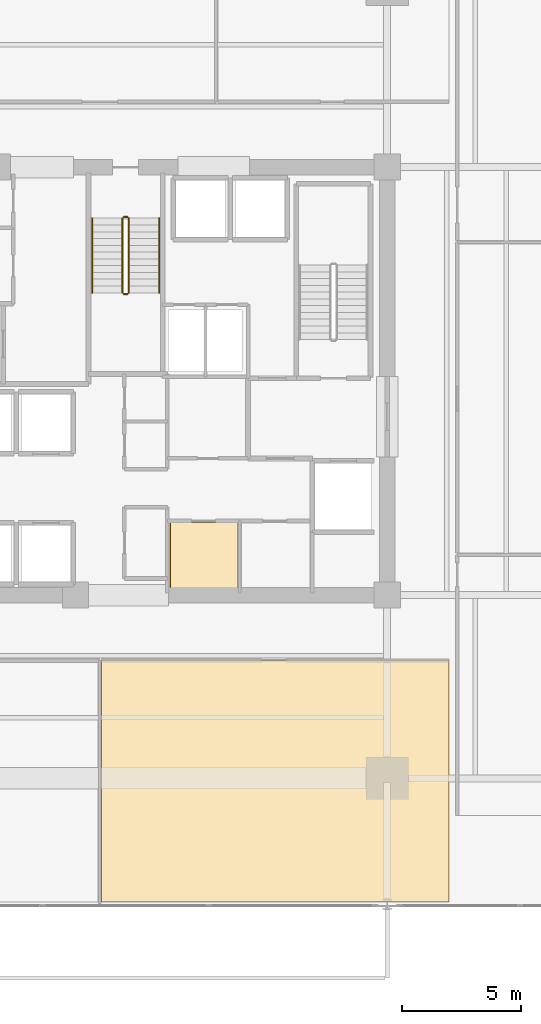
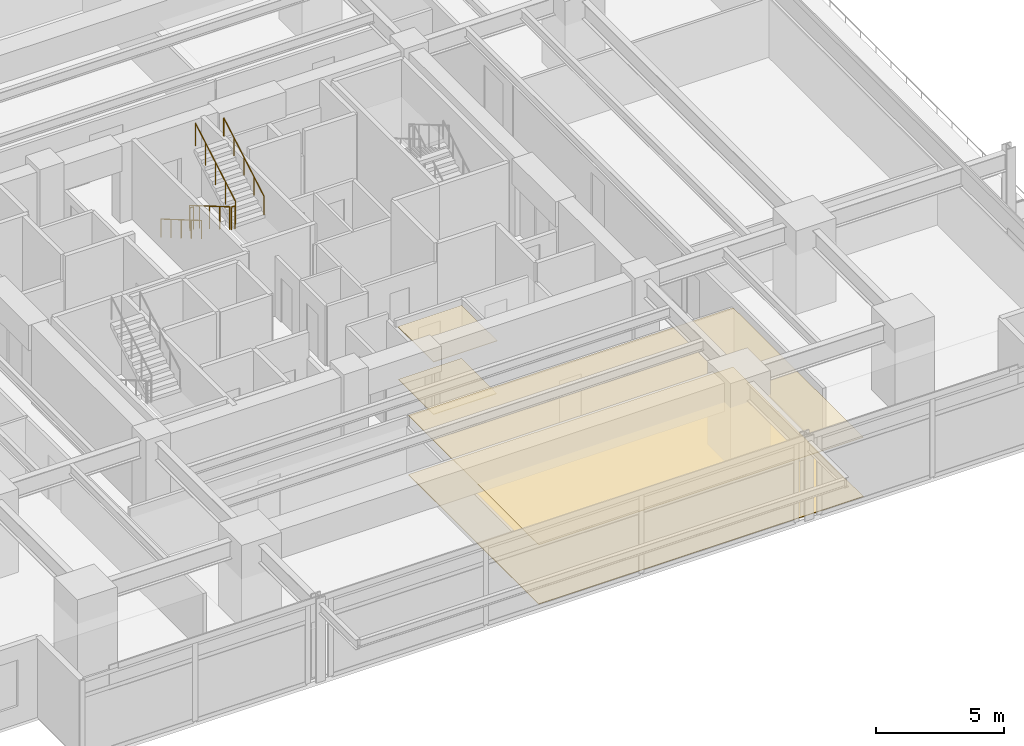
# One storey, part 19 of 21: 6 railings, 4 coverings.
"""IFC4 building model written with IfcOpenShell, lengths in metres."""

from ifc_helpers import new_model, si_unit, direction, frame, origin, origin_2d, place, context, subcontext, project, spatial, polyline, circle, outline, extrude, material, layer, layer_set, type_object, element, save


model = new_model("IFC4")

# Units and contexts
model_context = context("Model", 3, precision=1e-05, world=origin(), true_north=direction((0.0, 1.0)))
body_context = subcontext(model_context, "Body", "Model", "MODEL_VIEW")
ifc_project = project(units=[si_unit("LENGTHUNIT", "METRE"), si_unit("AREAUNIT", "SQUARE_METRE"), si_unit("VOLUMEUNIT", "CUBIC_METRE"), si_unit("PLANEANGLEUNIT", "RADIAN"), si_unit("MASSUNIT", "GRAM", prefix="KILO")], contexts=[model_context])

# Site, building, storey
site_placement = place(None, origin())
site = spatial("IfcSite", under=ifc_project, at=site_placement, CompositionType="ELEMENT")
building_placement = place(site_placement, origin())
building = spatial("IfcBuilding", under=site, at=building_placement, Name="Kovane Verandah Tower", CompositionType="ELEMENT")
storey_placement = place(building_placement, frame((0.0, 0.0, 47.60009765625)))
storey = spatial("IfcBuildingStorey", under=building, at=storey_placement, Name="L10", CompositionType="ELEMENT", Elevation=47.60009765625)

# Coverings
ifc_material_1 = material(Name="Perforated Acoustic Mineral-Fibre Ceiling Tile", Category="gypsum")
ifc_layer_1 = layer(ifc_material_1, 0.02490234375)
ifc_layer_set_1 = layer_set([ifc_layer_1], Name="Perforated Acoustic Mineral-Fibre Ceiling Tile")
covering_type_1 = type_object("IfcCoveringType", Name="CV-CEIL-25", PredefinedType="CEILING", material=ifc_layer_set_1)
covering_1_placement = place(storey_placement, frame((0.0, 0.0, 2.514892578125)))
element("IfcCovering", 1, at=covering_1_placement, inside=storey, type_object=covering_type_1, Name="L10 AV Control Room Acoustic Ceiling", PredefinedType="CEILING", context=body_context, shape_type="SweptSolid", body=[
    extrude(outline(polyline([(41.864990234375, 18.784912109375), (44.735107421875, 18.784912109375), (44.735107421875, 21.56494140625), (41.864990234375, 21.56494140625), (41.864990234375, 18.784912109375)])), origin(), (0.0, 0.0, 1.0), 0.02490234375),
])
covering_2_placement = place(storey_placement, frame((0.0, 0.0, 2.824951171875)))
element("IfcCovering", 2, at=covering_2_placement, inside=storey, type_object=covering_type_1, Name="L10 Breakout Pantry S2 Acoustic Ceiling", PredefinedType="CEILING", context=body_context, shape_type="SweptSolid", body=[
    extrude(outline(polyline([(38.98193359375, 5.588623046875), (53.60009765625, 5.588623046875), (53.60009765625, 15.75), (38.98193359375, 15.75), (38.98193359375, 5.588623046875)])), origin(), (0.0, 0.0, 1.0), 0.02490234375),
])
ifc_material_2 = material(Name="Polished Terrazzo and Raised-Access Carpet Tile Finish", Category="concrete")
ifc_layer_2 = layer(ifc_material_2, 0.030029296875)
ifc_layer_set_2 = layer_set([ifc_layer_2], Name="Polished Terrazzo and Raised-Access Carpet Tile Finish")
covering_type_2 = type_object("IfcCoveringType", Name="CV-FLOR-30", PredefinedType="FLOORING", material=ifc_layer_set_2)
covering_3_placement = place(storey_placement, origin())
element("IfcCovering", 3, at=covering_3_placement, inside=storey, type_object=covering_type_2, Name="L10 AV Control Room Floor Finish", PredefinedType="FLOORING", context=body_context, shape_type="SweptSolid", body=[
    extrude(outline(polyline([(41.8798828125, 18.800048828125), (44.719970703125, 18.800048828125), (44.719970703125, 21.550048828125), (41.8798828125, 21.550048828125), (41.8798828125, 18.800048828125)])), origin(), (0.0, 0.0, 1.0), 0.02978515625),
])
covering_4_placement = place(storey_placement, origin())
element("IfcCovering", 4, at=covering_4_placement, inside=storey, type_object=covering_type_2, Name="L10 Breakout Pantry S2 Floor Finish", PredefinedType="FLOORING", context=body_context, shape_type="SweptSolid", body=[
    extrude(outline(polyline([(38.98193359375, 5.588623046875), (53.60009765625, 5.588623046875), (53.60009765625, 15.75), (38.98193359375, 15.75), (38.98193359375, 5.588623046875)])), origin(), (0.0, 0.0, 1.0), 0.02978515625),
])

# Railings
ifc_material_3 = material(Name="Brushed Stainless Steel Handrail", Category="steel")
railing_type_1 = type_object("IfcRailingType", Name="RL-HAND-920", PredefinedType="HANDRAIL", material=ifc_material_3)
railing_1_placement = place(storey_placement, frame((38.590087890625, 34.35009765625, 0.16650390625)))
element("IfcRailing", 5, at=railing_1_placement, inside=storey, type_object=railing_type_1, Name="L10 ST-03 stair handrail 1", PredefinedType="HANDRAIL", context=body_context, shape_type="SweptSolid", body=[
    extrude(circle(Radius=0.02392578125, at=origin_2d()), frame((0.0, 0.0, 0.8759765625), z_axis=(0.0, -0.863210265497, 0.504844567704), x_axis=(1.0, 0.0, 0.0)), (0.0, 0.0, 1.0), 3.6318359375),
    extrude(circle(Radius=0.02099609375, at=origin_2d()), origin(), (0.0, 0.0, 1.0), 0.851806640625),
    extrude(circle(Radius=0.02099609375, at=origin_2d()), frame((0.0, -0.78369140625, 0.45849609375)), (0.0, 0.0, 1.0), 0.851806640625),
    extrude(circle(Radius=0.02099609375, at=origin_2d()), frame((0.0, -1.5673828125, 0.916748046875)), (0.0, 0.0, 1.0), 0.851806640625),
    extrude(circle(Radius=0.02099609375, at=origin_2d()), frame((0.0, -2.351318359375, 1.375)), (0.0, 0.0, 1.0), 0.851806640625),
    extrude(circle(Radius=0.02099609375, at=origin_2d()), frame((0.0, -3.135009765625, 1.83349609375)), (0.0, 0.0, 1.0), 0.851806640625),
])
railing_2_placement = place(storey_placement, frame((41.409912109375, 31.215087890625, 2.16650390625)))
element("IfcRailing", 6, at=railing_2_placement, inside=storey, type_object=railing_type_1, Name="L10 ST-03 stair handrail 2", PredefinedType="HANDRAIL", context=body_context, shape_type="SweptSolid", body=[
    extrude(circle(Radius=0.02392578125, at=origin_2d()), frame((0.0, 0.0, 0.8759765625), z_axis=(0.0, 0.863210265497, 0.504844567704), x_axis=(-1.0, 0.0, 0.0)), (0.0, 0.0, 1.0), 3.6318359375),
    extrude(circle(Radius=0.02099609375, at=origin_2d()), origin(), (0.0, 0.0, 1.0), 0.851806640625),
    extrude(circle(Radius=0.02099609375, at=origin_2d()), frame((0.0, 0.78369140625, 0.45849609375)), (0.0, 0.0, 1.0), 0.851806640625),
    extrude(circle(Radius=0.02099609375, at=origin_2d()), frame((0.0, 1.5673828125, 0.916748046875)), (0.0, 0.0, 1.0), 0.851806640625),
    extrude(circle(Radius=0.02099609375, at=origin_2d()), frame((0.0, 2.351318359375, 1.375)), (0.0, 0.0, 1.0), 0.851806640625),
    extrude(circle(Radius=0.02099609375, at=origin_2d()), frame((0.0, 3.135009765625, 1.83349609375)), (0.0, 0.0, 1.0), 0.851806640625),
])
ifc_material_4 = material(Name="Painted Steel Stairwell Guardrail", Category="steel")
railing_type_2 = type_object("IfcRailingType", Name="RL-STGUARD-1120", PredefinedType="GUARDRAIL", material=ifc_material_4)
railing_3_placement = place(storey_placement, frame((39.8701171875, 34.35009765625, 0.16650390625)))
element("IfcRailing", 7, at=railing_3_placement, inside=storey, type_object=railing_type_2, Name="L10 ST-03 stair guard 1", PredefinedType="GUARDRAIL", context=body_context, shape_type="SweptSolid", body=[
    extrude(circle(Radius=0.02392578125, at=origin_2d()), frame((0.0, 0.0, 1.076171875), z_axis=(0.0, -0.863210265497, 0.504844567704), x_axis=(1.0, 0.0, 0.0)), (0.0, 0.0, 1.0), 3.6318359375),
    extrude(circle(Radius=0.02099609375, at=origin_2d()), origin(), (0.0, 0.0, 1.0), 1.052001953125),
    extrude(circle(Radius=0.02099609375, at=origin_2d()), frame((0.0, -0.78369140625, 0.45849609375)), (0.0, 0.0, 1.0), 1.052001953125),
    extrude(circle(Radius=0.02099609375, at=origin_2d()), frame((0.0, -1.5673828125, 0.916748046875)), (0.0, 0.0, 1.0), 1.052001953125),
    extrude(circle(Radius=0.02099609375, at=origin_2d()), frame((0.0, -2.351318359375, 1.375)), (0.0, 0.0, 1.0), 1.052001953125),
    extrude(circle(Radius=0.02099609375, at=origin_2d()), frame((0.0, -3.135009765625, 1.83349609375)), (0.0, 0.0, 1.0), 1.052001953125),
])
railing_4_placement = place(storey_placement, frame((39.919921875, 31.1650390625, 2.0)))
element("IfcRailing", 8, at=railing_4_placement, inside=storey, type_object=railing_type_2, Name="L10 ST-03 stair guard 2", PredefinedType="GUARDRAIL", context=body_context, shape_type="SweptSolid", body=[
    extrude(circle(Radius=0.02392578125, at=origin_2d()), frame((0.0, 0.0, 1.076171875), z_axis=(1.0, 0.0, 0.0), x_axis=(0.0, 1.0, 0.0)), (0.0, 0.0, 1.0), 0.16015625),
    extrude(circle(Radius=0.02099609375, at=origin_2d()), origin(), (0.0, 0.0, 1.0), 1.052001953125),
    extrude(circle(Radius=0.02099609375, at=origin_2d()), frame((0.16015625, 0.0, 0.0)), (0.0, 0.0, 1.0), 1.052001953125),
])
railing_5_placement = place(storey_placement, frame((40.1298828125, 31.215087890625, 2.16650390625)))
element("IfcRailing", 9, at=railing_5_placement, inside=storey, type_object=railing_type_2, Name="L10 ST-03 stair guard 3", PredefinedType="GUARDRAIL", context=body_context, shape_type="SweptSolid", body=[
    extrude(circle(Radius=0.02392578125, at=origin_2d()), frame((0.0, 0.0, 1.076171875), z_axis=(0.0, 0.863210265497, 0.504844567704), x_axis=(-1.0, 0.0, 0.0)), (0.0, 0.0, 1.0), 3.6318359375),
    extrude(circle(Radius=0.02099609375, at=origin_2d()), origin(), (0.0, 0.0, 1.0), 1.052001953125),
    extrude(circle(Radius=0.02099609375, at=origin_2d()), frame((0.0, 0.78369140625, 0.45849609375)), (0.0, 0.0, 1.0), 1.052001953125),
    extrude(circle(Radius=0.02099609375, at=origin_2d()), frame((0.0, 1.5673828125, 0.916748046875)), (0.0, 0.0, 1.0), 1.052001953125),
    extrude(circle(Radius=0.02099609375, at=origin_2d()), frame((0.0, 2.351318359375, 1.375)), (0.0, 0.0, 1.0), 1.052001953125),
    extrude(circle(Radius=0.02099609375, at=origin_2d()), frame((0.0, 3.135009765625, 1.83349609375)), (0.0, 0.0, 1.0), 1.052001953125),
])
railing_6_placement = place(storey_placement, frame((39.919921875, 34.39990234375, 0.0)))
element("IfcRailing", 10, at=railing_6_placement, inside=storey, type_object=railing_type_2, Name="L10 ST-03 stair guard 4", PredefinedType="GUARDRAIL", context=body_context, shape_type="SweptSolid", body=[
    extrude(circle(Radius=0.02392578125, at=origin_2d()), frame((0.0, 0.0, 1.076171875), z_axis=(1.0, 0.0, 0.0), x_axis=(0.0, 1.0, 0.0)), (0.0, 0.0, 1.0), 0.16015625),
    extrude(circle(Radius=0.02099609375, at=origin_2d()), origin(), (0.0, 0.0, 1.0), 1.052001953125),
    extrude(circle(Radius=0.02099609375, at=origin_2d()), frame((0.16015625, 0.0, 0.0)), (0.0, 0.0, 1.0), 1.052001953125),
])

save(model, "model.ifc")
